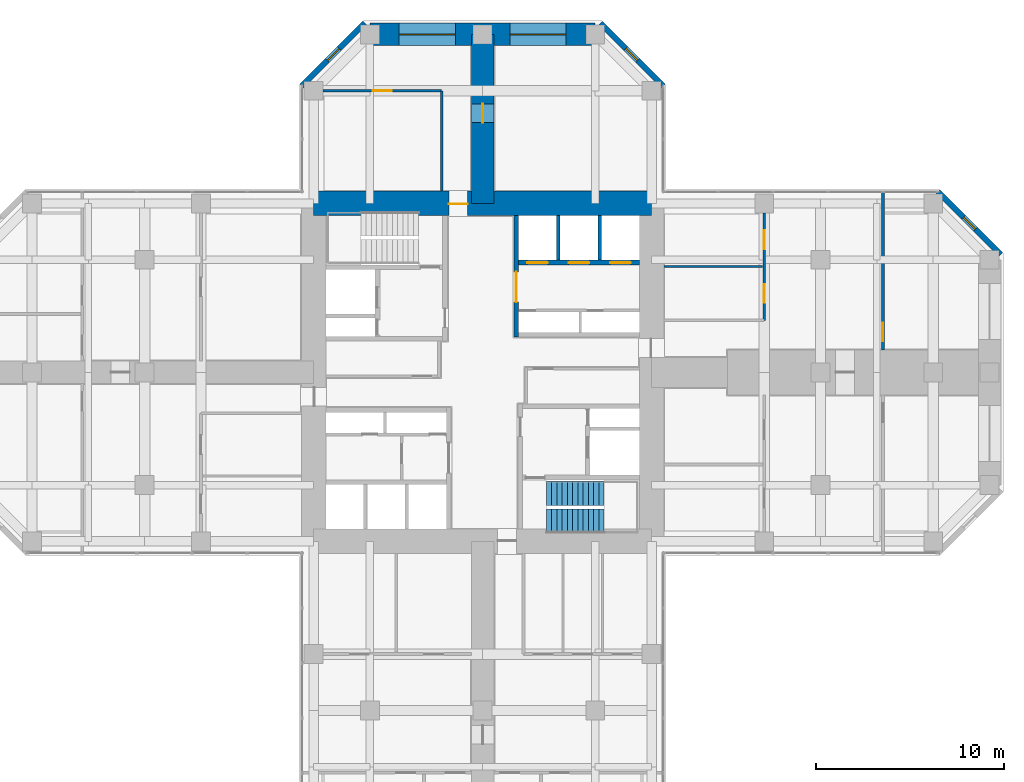
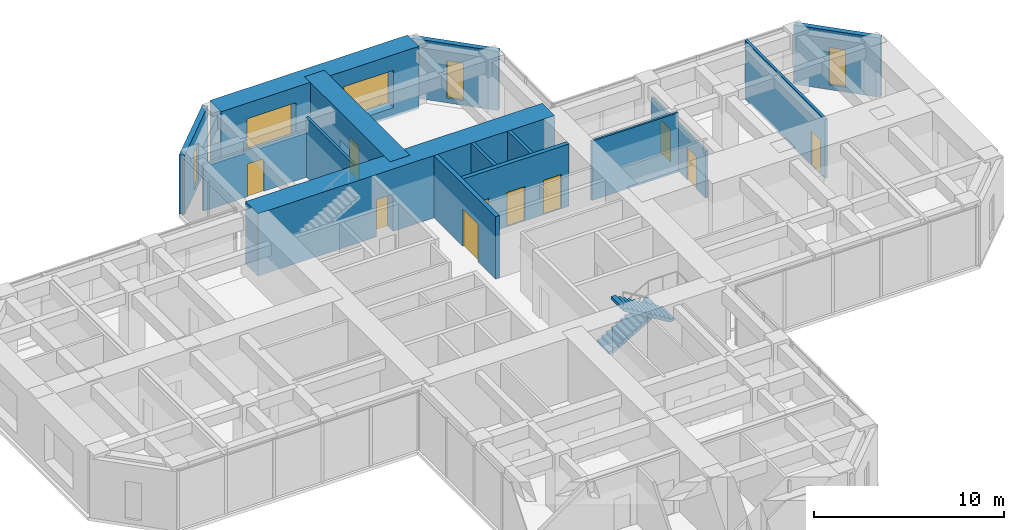
# One storey, part 11 of 13: 15 walls, 10 doors, 5 windows, 2 stair flights, 15 openings, 1 element without a shape of its own.
"""IFC4 building model written with IfcOpenShell, lengths in metres."""

from ifc_helpers import new_model, si_unit, direction, frame, frame_2d, origin, place, context, subcontext, project, spatial, polyline, rectangle, hollow_rectangle, outline, extrude, material, layer, layer_set, constituent, constituent_set, type_object, element, fill, aggregate, save


model = new_model("IFC4")

# Units and contexts
model_context = context("Model", 3, precision=1e-05, world=origin(), true_north=direction((0.0, 1.0)))
body_context = subcontext(model_context, "Body", "Model", "MODEL_VIEW")
ifc_project = project(units=[si_unit("LENGTHUNIT", "METRE"), si_unit("AREAUNIT", "SQUARE_METRE"), si_unit("VOLUMEUNIT", "CUBIC_METRE"), si_unit("PLANEANGLEUNIT", "RADIAN"), si_unit("MASSUNIT", "GRAM", prefix="KILO")], contexts=[model_context])

# Site, building, storey
site_placement = place(None, origin())
site = spatial("IfcSite", under=ifc_project, at=site_placement, CompositionType="ELEMENT")
building_placement = place(site_placement, origin())
building = spatial("IfcBuilding", under=site, at=building_placement, Name="Torre Cruceta", CompositionType="ELEMENT")
storey_placement = place(building_placement, frame((0.0, 0.0, 156.5)))
storey = spatial("IfcBuildingStorey", under=building, at=storey_placement, Name="L38", CompositionType="ELEMENT", Elevation=156.5)

# Wall, opening, door
ifc_material_1 = material(Name="Concrete G60 (fck 60 MPa)", Category="concrete")
ifc_layer_1 = layer(ifc_material_1, 0.25)
ifc_layer_set_1 = layer_set([ifc_layer_1], Name="Concrete G60 (fck 60 MPa)")
wall_type_1 = type_object("IfcWallType", Name="CORE INNER WALL 250 G60", PredefinedType="SHEAR", material=ifc_layer_set_1)
wall_1_placement = place(storey_placement, frame((1.800048828125, 1.875, 0.0), z_axis=(0.0, 0.0, 1.0), x_axis=(0.0, 1.0, 0.0)))
wall_1 = element("IfcWall", 1, at=wall_1_placement, inside=storey, type_object=wall_type_1, Name="CW4 L38 NE-CU", PredefinedType="SHEAR", context=body_context, shape_type="SweptSolid", body=[
    extrude(rectangle(XDim=6.47509765625, YDim=0.25, at=frame_2d((3.237548828125, 0.0))), origin(), (0.0, 0.0, 1.0), 4.0),
])
opening_1_placement = place(wall_1_placement, frame((1.875, 0.0, 0.0)))
opening_1 = element("IfcOpeningElement", 2, at=opening_1_placement, cuts=wall_1, Name="Opening D8", PredefinedType="OPENING", context=body_context, shape_type="SweptSolid", body=[
    extrude(rectangle(XDim=1.60009765625, YDim=2.39990234375, at=frame_2d((0.800048828125, 1.199951171875))), frame((0.0, 0.135009765625, 0.0), z_axis=(0.0, -1.0, 0.0), x_axis=(1.0, 0.0, 0.0)), (0.0, 0.0, 1.0), 0.27001953125),
])
ifc_material_2 = material(Name="Steel DX51D", Category="steel")
ifc_constituent_1 = constituent(ifc_material_2, Name="Leaf and frame")
ifc_material_3 = material(Name="Polyester powder coating", Category="paint")
ifc_constituent_2 = constituent(ifc_material_3, Name="Finish")
ifc_material_4 = material(Name="Fire-resisting glass", Category="glass")
ifc_constituent_3 = constituent(ifc_material_4, Name="Vision panel")
ifc_constituent_set_1 = constituent_set(constituents=[ifc_constituent_1, ifc_constituent_2, ifc_constituent_3], Name="Steel fire door with vision panels")
door_type_1 = type_object("IfcDoorType", Name="LIFT LOBBY DOUBLE DOOR 1600X2400", OperationType="DOUBLE_DOOR_DOUBLE_SWING", PredefinedType="DOOR", material=ifc_constituent_set_1)
door_1_placement = place(opening_1_placement, origin())
door_1 = element("IfcDoor", 3, at=door_1_placement, inside=storey, type_object=door_type_1, Name="D8 L38 NE-LOBBY", OperationType="DOUBLE_DOOR_DOUBLE_SWING", OverallHeight=2.39990234375, OverallWidth=1.60009765625, PredefinedType="DOOR", context=body_context, shape_type="SweptSolid", body=[
    extrude(rectangle(XDim=1.60009765625, YDim=2.39990234375, at=frame_2d((0.800048828125, 1.199951171875))), frame((0.0, 0.02490234375, 0.0), z_axis=(0.0, -1.0, 0.0), x_axis=(1.0, 0.0, 0.0)), (0.0, 0.0, 1.0), 0.050048828125),
])
fill(opening_1, door_1)

# Wall, openings, doors
wall_2_placement = place(storey_placement, frame((1.925048828125, 5.85009765625, 0.0), z_axis=(0.0, 0.0, 1.0), x_axis=(1.0, 0.0, 0.0)))
wall_2 = element("IfcWall", 4, at=wall_2_placement, inside=storey, type_object=wall_type_1, Name="CW4 L38 NE-LV", PredefinedType="SHEAR", context=body_context, shape_type="SweptSolid", body=[
    extrude(rectangle(XDim=6.425048828125, YDim=0.25, at=frame_2d((3.21240234375, 0.0))), origin(), (0.0, 0.0, 1.0), 4.0),
])
opening_2_placement = place(wall_2_placement, frame((0.4541015625, 0.0, 0.0)))
opening_2 = element("IfcOpeningElement", 5, at=opening_2_placement, cuts=wall_2, Name="Opening LD1", PredefinedType="OPENING", context=body_context, shape_type="SweptSolid", body=[
    extrude(rectangle(XDim=1.10009765625, YDim=2.199951171875, at=frame_2d((0.550048828125, 1.10009765625))), frame((0.0, 0.135009765625, 0.0), z_axis=(0.0, -1.0, 0.0), x_axis=(1.0, 0.0, 0.0)), (0.0, 0.0, 1.0), 0.27001953125),
])
opening_3_placement = place(wall_2_placement, frame((2.66259765625, 0.0, 0.0)))
opening_3 = element("IfcOpeningElement", 6, at=opening_3_placement, cuts=wall_2, Name="Opening LD1", PredefinedType="OPENING", context=body_context, shape_type="SweptSolid", body=[
    extrude(rectangle(XDim=1.10009765625, YDim=2.199951171875, at=frame_2d((0.550048828125, 1.10009765625))), frame((0.0, 0.135009765625, 0.0), z_axis=(0.0, -1.0, 0.0), x_axis=(1.0, 0.0, 0.0)), (0.0, 0.0, 1.0), 0.27001953125),
])
opening_4_placement = place(wall_2_placement, frame((4.870849609375, 0.0, 0.0)))
opening_4 = element("IfcOpeningElement", 7, at=opening_4_placement, cuts=wall_2, Name="Opening LD1", PredefinedType="OPENING", context=body_context, shape_type="SweptSolid", body=[
    extrude(rectangle(XDim=1.10009765625, YDim=2.199951171875, at=frame_2d((0.550048828125, 1.10009765625))), frame((0.0, 0.135009765625, 0.0), z_axis=(0.0, -1.0, 0.0), x_axis=(1.0, 0.0, 0.0)), (0.0, 0.0, 1.0), 0.27001953125),
])
ifc_material_5 = material(Name="Stainless steel 1.4401", Category="steel")
door_type_2 = type_object("IfcDoorType", Name="LIFT LANDING DOOR 1100X2200", OperationType="DOUBLE_DOOR_SLIDING", PredefinedType="DOOR", material=ifc_material_5)
door_2_placement = place(opening_2_placement, origin())
door_2 = element("IfcDoor", 8, at=door_2_placement, inside=storey, type_object=door_type_2, Name="Lift landing door P1", OperationType="DOUBLE_DOOR_SLIDING", OverallHeight=2.199951171875, OverallWidth=1.10009765625, PredefinedType="DOOR", context=body_context, shape_type="SweptSolid", body=[
    extrude(rectangle(XDim=1.10009765625, YDim=2.199951171875, at=frame_2d((0.550048828125, 1.10009765625))), frame((0.0, 0.02490234375, 0.0), z_axis=(0.0, -1.0, 0.0), x_axis=(1.0, 0.0, 0.0)), (0.0, 0.0, 1.0), 0.050048828125),
])
fill(opening_2, door_2)
door_3_placement = place(opening_3_placement, origin())
door_3 = element("IfcDoor", 9, at=door_3_placement, inside=storey, type_object=door_type_2, Name="Lift landing door P2", OperationType="DOUBLE_DOOR_SLIDING", OverallHeight=2.199951171875, OverallWidth=1.10009765625, PredefinedType="DOOR", context=body_context, shape_type="SweptSolid", body=[
    extrude(rectangle(XDim=1.10009765625, YDim=2.199951171875, at=frame_2d((0.550048828125, 1.10009765625))), frame((0.0, 0.02490234375, 0.0), z_axis=(0.0, -1.0, 0.0), x_axis=(1.0, 0.0, 0.0)), (0.0, 0.0, 1.0), 0.050048828125),
])
fill(opening_3, door_3)
door_4_placement = place(opening_4_placement, origin())
door_4 = element("IfcDoor", 10, at=door_4_placement, inside=storey, type_object=door_type_2, Name="Lift landing door P3", OperationType="DOUBLE_DOOR_SLIDING", OverallHeight=2.199951171875, OverallWidth=1.10009765625, PredefinedType="DOOR", context=body_context, shape_type="SweptSolid", body=[
    extrude(rectangle(XDim=1.10009765625, YDim=2.199951171875, at=frame_2d((0.550048828125, 1.10009765625))), frame((0.0, 0.02490234375, 0.0), z_axis=(0.0, -1.0, 0.0), x_axis=(1.0, 0.0, 0.0)), (0.0, 0.0, 1.0), 0.050048828125),
])
fill(opening_4, door_4)

# Wall, opening, door
ifc_material_6 = material(Name="Concrete G60 (fck 60 MPa)", Category="concrete")
ifc_layer_2 = layer(ifc_material_6, 1.300048828125)
ifc_layer_set_2 = layer_set([ifc_layer_2], Name="Concrete G60 (fck 60 MPa)")
wall_type_2 = type_object("IfcWallType", Name="CORE WALL 1300 G60", PredefinedType="SHEAR", material=ifc_layer_set_2)
wall_3_placement = place(storey_placement, frame((9.0, 9.0, 0.0), z_axis=(0.0, 0.0, 1.0), x_axis=(-1.0, 0.0, 0.0)))
wall_3 = element("IfcWall", 11, at=wall_3_placement, inside=storey, type_object=wall_type_2, Name="CW1 L38 CW-N", PredefinedType="SHEAR", context=body_context, shape_type="SweptSolid", body=[
    extrude(rectangle(XDim=18.0, YDim=1.300048828125, at=frame_2d((9.0, 0.0))), origin(), (0.0, 0.0, 1.0), 4.0),
])
opening_5_placement = place(wall_3_placement, frame((9.800048828125, 0.0, 0.0)))
opening_5 = element("IfcOpeningElement", 12, at=opening_5_placement, cuts=wall_3, Name="Opening D4", PredefinedType="OPENING", context=body_context, shape_type="SweptSolid", body=[
    extrude(rectangle(XDim=1.0, YDim=2.39990234375, at=frame_2d((0.5, 1.199951171875))), frame((0.0, 0.659912109375, 0.0), z_axis=(0.0, -1.0, 0.0), x_axis=(1.0, 0.0, 0.0)), (0.0, 0.0, 1.0), 1.320068359375),
])
ifc_material_7 = material(Name="Steel DX51D", Category="steel")
ifc_constituent_4 = constituent(ifc_material_7, Name="Leaf and frame")
ifc_material_8 = material(Name="Polyester powder coating", Category="paint")
ifc_constituent_5 = constituent(ifc_material_8, Name="Finish")
ifc_constituent_set_2 = constituent_set(constituents=[ifc_constituent_4, ifc_constituent_5], Name="Steel fire door")
door_type_3 = type_object("IfcDoorType", Name="CORE ARM DOOR 1000X2400", OperationType="SINGLE_SWING_RIGHT", PredefinedType="DOOR", material=ifc_constituent_set_2)
door_5_placement = place(opening_5_placement, frame((1.0, 0.0, 0.0), z_axis=(0.0, 0.0, 1.0), x_axis=(-1.0, 0.0, 0.0)))
door_5 = element("IfcDoor", 13, at=door_5_placement, inside=storey, type_object=door_type_3, Name="D4 L38 CW-N", OperationType="SINGLE_SWING_RIGHT", OverallHeight=2.39990234375, OverallWidth=1.0, PredefinedType="DOOR", context=body_context, shape_type="SweptSolid", body=[
    extrude(rectangle(XDim=1.0, YDim=2.39990234375, at=frame_2d((0.5, 1.199951171875))), frame((0.0, -0.005126953125, 0.0), z_axis=(0.0, -1.0, 0.0), x_axis=(1.0, 0.0, 0.0)), (0.0, 0.0, 1.0), 0.050048828125),
])
fill(opening_5, door_5)

# Wall, opening, window
ifc_material_9 = material(Name="Concrete G30 (fck 30 MPa)", Category="concrete")
ifc_layer_3 = layer(ifc_material_9, 0.300048828125)
ifc_layer_set_3 = layer_set([ifc_layer_3], Name="Concrete G30 (fck 30 MPa)")
wall_type_3 = type_object("IfcWallType", Name="EXPOSED CONCRETE FACADE WALL 300", PredefinedType="SOLIDWALL", material=ifc_layer_set_3)
wall_4_placement = place(storey_placement, frame((27.60009765625, 6.27685546875, 0.0), z_axis=(0.0, 0.0, 1.0), x_axis=(-0.707106781187, 0.707106781187, 0.0)))
wall_4 = element("IfcWall", 14, at=wall_4_placement, inside=storey, type_object=wall_type_3, Name="EW1 facade wall L38 E chamfer 03", PredefinedType="SOLIDWALL", context=body_context, shape_type="SweptSolid", body=[
    extrude(rectangle(XDim=4.72802734375, YDim=0.300048828125, at=frame_2d((2.364013671875, 0.0))), origin(), (0.0, 0.0, 1.0), 3.800048828125),
])
opening_6_placement = place(wall_4_placement, frame((1.9140625, 0.0, 0.300048828125)))
opening_6 = element("IfcOpeningElement", 15, at=opening_6_placement, cuts=wall_4, Name="Opening WN5", PredefinedType="OPENING", context=body_context, shape_type="SweptSolid", body=[
    extrude(rectangle(XDim=0.89990234375, YDim=2.39990234375, at=frame_2d((0.449951171875, 1.199951171875))), frame((0.0, 0.159912109375, 0.0), z_axis=(0.0, -1.0, 0.0), x_axis=(1.0, 0.0, 0.0)), (0.0, 0.0, 1.0), 0.320068359375),
])
ifc_material_10 = material(Name="Aluminium window frame", Category="aluminium")
ifc_constituent_6 = constituent(ifc_material_10, Name="Frame")
ifc_material_11 = material(Name="Laminated insulating glass unit, low-iron clear", Category="glass")
ifc_constituent_7 = constituent(ifc_material_11, Name="Glazing")
ifc_constituent_set_3 = constituent_set(constituents=[ifc_constituent_6, ifc_constituent_7], Name="Aluminium window")
window_type_1 = type_object("IfcWindowType", Name="CHAMFER SLOT WINDOW 900X2400", PartitioningType="SINGLE_PANEL", PredefinedType="WINDOW", material=ifc_constituent_set_3)
window_1_placement = place(opening_6_placement, origin())
window_1 = element("IfcWindow", 16, at=window_1_placement, inside=storey, type_object=window_type_1, Name="WN5 L38 E 1", OverallHeight=2.39990234375, OverallWidth=0.89990234375, PartitioningType="SINGLE_PANEL", PredefinedType="WINDOW", context=body_context, shape_type="SweptSolid", body=[
    extrude(hollow_rectangle(XDim=0.89990234375, YDim=2.39990234375, WallThickness=0.06005859375, at=frame_2d((0.449951171875, 1.199951171875))), frame((0.0, 0.030029296875, 0.0), z_axis=(0.0, -1.0, 0.0), x_axis=(1.0, 0.0, 0.0)), (0.0, 0.0, 1.0), 0.06005859375),
    extrude(rectangle(XDim=0.77880859375, YDim=2.27880859375, at=frame_2d((0.449951171875, 1.199951171875))), frame((0.0, 0.030029296875, 0.0), z_axis=(0.0, -1.0, 0.0), x_axis=(1.0, 0.0, 0.0)), (0.0, 0.0, 1.0), 0.06005859375),
])
fill(opening_6, window_1)

wall_5_placement = place(storey_placement, frame((9.6201171875, 15.2568359375, 0.0), z_axis=(0.0, 0.0, 1.0), x_axis=(-0.707106781187, 0.707106781187, 0.0)))
wall_5 = element("IfcWall", 17, at=wall_5_placement, inside=storey, type_object=wall_type_3, Name="EW1 facade wall L38 N chamfer 06", PredefinedType="SOLIDWALL", context=body_context, shape_type="SweptSolid", body=[
    extrude(rectangle(XDim=4.72802734375, YDim=0.300048828125, at=frame_2d((2.364013671875, 0.0))), origin(), (0.0, 0.0, 1.0), 3.800048828125),
])
opening_7_placement = place(wall_5_placement, frame((1.9140625, 0.0, 0.300048828125)))
opening_7 = element("IfcOpeningElement", 18, at=opening_7_placement, cuts=wall_5, Name="Opening WN5", PredefinedType="OPENING", context=body_context, shape_type="SweptSolid", body=[
    extrude(rectangle(XDim=0.89990234375, YDim=2.39990234375, at=frame_2d((0.449951171875, 1.199951171875))), frame((0.0, 0.159912109375, 0.0), z_axis=(0.0, -1.0, 0.0), x_axis=(1.0, 0.0, 0.0)), (0.0, 0.0, 1.0), 0.320068359375),
])
window_2_placement = place(opening_7_placement, origin())
window_2 = element("IfcWindow", 19, at=window_2_placement, inside=storey, type_object=window_type_1, Name="WN5 L38 N 1", OverallHeight=2.39990234375, OverallWidth=0.89990234375, PartitioningType="SINGLE_PANEL", PredefinedType="WINDOW", context=body_context, shape_type="SweptSolid", body=[
    extrude(hollow_rectangle(XDim=0.89990234375, YDim=2.39990234375, WallThickness=0.06005859375, at=frame_2d((0.449951171875, 1.199951171875))), frame((0.0, 0.030029296875, 0.0), z_axis=(0.0, -1.0, 0.0), x_axis=(1.0, 0.0, 0.0)), (0.0, 0.0, 1.0), 0.06005859375),
    extrude(rectangle(XDim=0.77880859375, YDim=2.27880859375, at=frame_2d((0.449951171875, 1.199951171875))), frame((0.0, 0.030029296875, 0.0), z_axis=(0.0, -1.0, 0.0), x_axis=(1.0, 0.0, 0.0)), (0.0, 0.0, 1.0), 0.06005859375),
])
fill(opening_7, window_2)

wall_6_placement = place(storey_placement, frame((-6.27685546875, 18.60009765625, 0.0), z_axis=(0.0, 0.0, 1.0), x_axis=(-0.707106781187, -0.707106781187, 0.0)))
wall_6 = element("IfcWall", 20, at=wall_6_placement, inside=storey, type_object=wall_type_3, Name="EW1 facade wall L38 N chamfer 08", PredefinedType="SOLIDWALL", context=body_context, shape_type="SweptSolid", body=[
    extrude(rectangle(XDim=4.72802734375, YDim=0.300048828125, at=frame_2d((2.364013671875, 0.0))), origin(), (0.0, 0.0, 1.0), 3.800048828125),
])
opening_8_placement = place(wall_6_placement, frame((1.9140625, 0.0, 0.300048828125)))
opening_8 = element("IfcOpeningElement", 21, at=opening_8_placement, cuts=wall_6, Name="Opening WN5", PredefinedType="OPENING", context=body_context, shape_type="SweptSolid", body=[
    extrude(rectangle(XDim=0.89990234375, YDim=2.39990234375, at=frame_2d((0.449951171875, 1.199951171875))), frame((0.0, 0.159912109375, 0.0), z_axis=(0.0, -1.0, 0.0), x_axis=(1.0, 0.0, 0.0)), (0.0, 0.0, 1.0), 0.320068359375),
])
window_3_placement = place(opening_8_placement, origin())
window_3 = element("IfcWindow", 22, at=window_3_placement, inside=storey, type_object=window_type_1, Name="WN5 L38 N 1", OverallHeight=2.39990234375, OverallWidth=0.89990234375, PartitioningType="SINGLE_PANEL", PredefinedType="WINDOW", context=body_context, shape_type="SweptSolid", body=[
    extrude(hollow_rectangle(XDim=0.89990234375, YDim=2.39990234375, WallThickness=0.06005859375, at=frame_2d((0.449951171875, 1.199951171875))), frame((0.0, 0.030029296875, 0.0), z_axis=(0.0, -1.0, 0.0), x_axis=(1.0, 0.0, 0.0)), (0.0, 0.0, 1.0), 0.06005859375),
    extrude(rectangle(XDim=0.77880859375, YDim=2.27880859375, at=frame_2d((0.449951171875, 1.199951171875))), frame((0.0, 0.030029296875, 0.0), z_axis=(0.0, -1.0, 0.0), x_axis=(1.0, 0.0, 0.0)), (0.0, 0.0, 1.0), 0.06005859375),
])
fill(opening_8, window_3)

# Walls
ifc_material_12 = material(Name="Concrete G35 (fck 35 MPa)", Category="concrete")
ifc_layer_4 = layer(ifc_material_12, 0.199951171875)
ifc_layer_set_4 = layer_set([ifc_layer_4], Name="Concrete G35 (fck 35 MPa)")
wall_type_4 = type_object("IfcWallType", Name="LIFT SHAFT WALL 200", PredefinedType="PARTITIONING", material=ifc_layer_set_4)
for number, where, z_axis, x_axis, name in (
    (23, (4.033447265625, 5.97509765625, 0.0), (0.0, 0.0, 1.0), (0.0, 1.0, 0.0), "SW1 L38 NE-LS1"),
    (24, (6.24169921875, 5.97509765625, 0.0), (0.0, 0.0, 1.0), (0.0, 1.0, 0.0), "SW1 L38 NE-LS2"),
):
    element("IfcWall", number, at=place(storey_placement, frame(where, z_axis=z_axis, x_axis=x_axis)), inside=storey, type_object=wall_type_4, Name=name, PredefinedType="PARTITIONING", context=body_context, shape_type="SweptSolid", body=[
        extrude(rectangle(XDim=2.375, YDim=0.199951171875, at=frame_2d((1.1875, 0.0))), origin(), (0.0, 0.0, 1.0), 4.0),
    ])

# Wall, openings, windows
ifc_material_13 = material(Name="Concrete G60 (fck 60 MPa)", Category="concrete")
ifc_layer_5 = layer(ifc_material_13, 1.199951171875)
ifc_layer_set_5 = layer_set([ifc_layer_5], Name="Concrete G60 (fck 60 MPa)")
wall_type_5 = type_object("IfcWallType", Name="NOSE WALL 1200 G60", PredefinedType="SHEAR", material=ifc_layer_set_5)
wall_7_placement = place(storey_placement, frame((6.0, 18.0, 0.0), z_axis=(0.0, 0.0, 1.0), x_axis=(-1.0, 0.0, 0.0)))
wall_7 = element("IfcWall", 25, at=wall_7_placement, inside=storey, type_object=wall_type_5, Name="NW1 nose wall L38 N", PredefinedType="SHEAR", context=body_context, shape_type="SweptSolid", body=[
    extrude(rectangle(XDim=12.0, YDim=1.199951171875, at=frame_2d((6.0, 0.0))), origin(), (0.0, 0.0, 1.0), 4.0),
])
opening_9_placement = place(wall_7_placement, frame((1.550048828125, 0.0, 0.60009765625)))
opening_9 = element("IfcOpeningElement", 26, at=opening_9_placement, cuts=wall_7, Name="Opening WN6", PredefinedType="OPENING", context=body_context, shape_type="SweptSolid", body=[
    extrude(rectangle(XDim=3.0, YDim=2.39990234375, at=frame_2d((1.5, 1.199951171875))), frame((0.0, 0.60986328125, 0.0), z_axis=(0.0, -1.0, 0.0), x_axis=(1.0, 0.0, 0.0)), (0.0, 0.0, 1.0), 1.219970703125),
])
opening_10_placement = place(wall_7_placement, frame((7.449951171875, 0.0, 0.60009765625)))
opening_10 = element("IfcOpeningElement", 27, at=opening_10_placement, cuts=wall_7, Name="Opening WN6", PredefinedType="OPENING", context=body_context, shape_type="SweptSolid", body=[
    extrude(rectangle(XDim=3.0, YDim=2.39990234375, at=frame_2d((1.5, 1.199951171875))), frame((0.0, 0.60986328125, 0.0), z_axis=(0.0, -1.0, 0.0), x_axis=(1.0, 0.0, 0.0)), (0.0, 0.0, 1.0), 1.219970703125),
])
ifc_material_14 = material(Name="Aluminium window frame", Category="aluminium")
ifc_constituent_8 = constituent(ifc_material_14, Name="Frame")
ifc_material_15 = material(Name="Laminated insulating glass unit, low-iron clear", Category="glass")
ifc_constituent_9 = constituent(ifc_material_15, Name="Glazing")
ifc_constituent_set_4 = constituent_set(constituents=[ifc_constituent_8, ifc_constituent_9], Name="Aluminium window")
window_type_2 = type_object("IfcWindowType", Name="NOSE WALL WINDOW 3000X2400", PartitioningType="SINGLE_PANEL", PredefinedType="WINDOW", material=ifc_constituent_set_4)
window_4_placement = place(opening_9_placement, origin())
window_4 = element("IfcWindow", 28, at=window_4_placement, inside=storey, type_object=window_type_2, Name="WN6 L38 N 1", OverallHeight=2.39990234375, OverallWidth=3.0, PartitioningType="SINGLE_PANEL", PredefinedType="WINDOW", context=body_context, shape_type="SweptSolid", body=[
    extrude(hollow_rectangle(XDim=3.0, YDim=2.39990234375, WallThickness=0.06005859375, at=frame_2d((1.5, 1.199951171875))), frame((0.0, 0.030029296875, 0.0), z_axis=(0.0, -1.0, 0.0), x_axis=(1.0, 0.0, 0.0)), (0.0, 0.0, 1.0), 0.06005859375),
    extrude(rectangle(XDim=2.87890625, YDim=2.27880859375, at=frame_2d((1.5, 1.199951171875))), frame((0.0, 0.030029296875, 0.0), z_axis=(0.0, -1.0, 0.0), x_axis=(1.0, 0.0, 0.0)), (0.0, 0.0, 1.0), 0.06005859375),
])
fill(opening_9, window_4)
window_5_placement = place(opening_10_placement, origin())
window_5 = element("IfcWindow", 29, at=window_5_placement, inside=storey, type_object=window_type_2, Name="WN6 L38 N 2", OverallHeight=2.39990234375, OverallWidth=3.0, PartitioningType="SINGLE_PANEL", PredefinedType="WINDOW", context=body_context, shape_type="SweptSolid", body=[
    extrude(hollow_rectangle(XDim=3.0, YDim=2.39990234375, WallThickness=0.06005859375, at=frame_2d((1.5, 1.199951171875))), frame((0.0, 0.030029296875, 0.0), z_axis=(0.0, -1.0, 0.0), x_axis=(1.0, 0.0, 0.0)), (0.0, 0.0, 1.0), 0.06005859375),
    extrude(rectangle(XDim=2.87890625, YDim=2.27880859375, at=frame_2d((1.5, 1.199951171875))), frame((0.0, 0.030029296875, 0.0), z_axis=(0.0, -1.0, 0.0), x_axis=(1.0, 0.0, 0.0)), (0.0, 0.0, 1.0), 0.06005859375),
])
fill(opening_10, window_5)

# Wall, opening, door
ifc_material_16 = material(Name="Plasterboard on steel studs", Category="steel")
ifc_layer_6 = layer(ifc_material_16, 0.14990234375)
ifc_layer_set_6 = layer_set([ifc_layer_6], Name="Plasterboard on steel studs")
wall_type_6 = type_object("IfcWallType", Name="PARTITION 150", PredefinedType="PARTITIONING", material=ifc_layer_set_6)
wall_8_placement = place(storey_placement, frame((-2.175048828125, 15.0, 0.0), z_axis=(0.0, 0.0, 1.0), x_axis=(-1.0, 0.0, 0.0)))
wall_8 = element("IfcWall", 30, at=wall_8_placement, inside=storey, type_object=wall_type_6, Name="PT1 L38-N-BFL", PredefinedType="PARTITIONING", context=body_context, shape_type="SweptSolid", body=[
    extrude(rectangle(XDim=6.324951171875, YDim=0.14990234375, at=frame_2d((3.16259765625, 0.0))), origin(), (0.0, 0.0, 1.0), 3.0),
])
opening_11_placement = place(wall_8_placement, frame((2.66259765625, 0.0, 0.0)))
opening_11 = element("IfcOpeningElement", 31, at=opening_11_placement, cuts=wall_8, Name="Opening D3", PredefinedType="OPENING", context=body_context, shape_type="SweptSolid", body=[
    extrude(rectangle(XDim=1.0, YDim=2.10009765625, at=frame_2d((0.5, 1.050048828125))), frame((0.0, 0.0849609375, 0.0), z_axis=(0.0, -1.0, 0.0), x_axis=(1.0, 0.0, 0.0)), (0.0, 0.0, 1.0), 0.169921875),
])
ifc_material_17 = material(Name="Steel DX51D", Category="steel")
ifc_constituent_10 = constituent(ifc_material_17, Name="Leaf and frame")
ifc_material_18 = material(Name="Polyester powder coating", Category="paint")
ifc_constituent_11 = constituent(ifc_material_18, Name="Finish")
ifc_constituent_set_5 = constituent_set(constituents=[ifc_constituent_10, ifc_constituent_11], Name="Steel fire door")
door_type_4 = type_object("IfcDoorType", Name="FIRE DOOR 1000X2100", OperationType="SINGLE_SWING_LEFT", PredefinedType="DOOR", material=ifc_constituent_set_5)
door_6_placement = place(opening_11_placement, frame((1.0, 0.0, 0.0), z_axis=(0.0, 0.0, 1.0), x_axis=(-1.0, 0.0, 0.0)))
door_6 = element("IfcDoor", 32, at=door_6_placement, inside=storey, type_object=door_type_4, Name="D3 L38-N-BFL-D1", OperationType="SINGLE_SWING_LEFT", OverallHeight=2.10009765625, OverallWidth=1.0, PredefinedType="DOOR", context=body_context, shape_type="SweptSolid", body=[
    extrude(rectangle(XDim=1.0, YDim=2.10009765625, at=frame_2d((0.5, 1.050048828125))), frame((0.0, 0.025146484375, 0.0), z_axis=(0.0, -1.0, 0.0), x_axis=(1.0, 0.0, 0.0)), (0.0, 0.0, 1.0), 0.050048828125),
])
fill(opening_11, door_6)

# Wall
wall_9_placement = place(storey_placement, frame((-2.175048828125, 9.64990234375, 0.0), z_axis=(0.0, 0.0, 1.0), x_axis=(0.0, 1.0, 0.0)))
element("IfcWall", 33, at=wall_9_placement, inside=storey, type_object=wall_type_6, Name="PT1 L38-N-BSL", PredefinedType="PARTITIONING", context=body_context, shape_type="SweptSolid", body=[
    extrude(rectangle(XDim=5.35009765625, YDim=0.14990234375, at=frame_2d((2.675048828125, 0.0))), origin(), (0.0, 0.0, 1.0), 3.800048828125),
])

# Wall, openings, doors
wall_10_placement = place(storey_placement, frame((15.0, 2.77490234375, 0.0), z_axis=(0.0, 0.0, 1.0), x_axis=(0.0, 1.0, 0.0)))
wall_10 = element("IfcWall", 34, at=wall_10_placement, inside=storey, type_object=wall_type_6, Name="PT1 L38-E-BFL", PredefinedType="PARTITIONING", context=body_context, shape_type="SweptSolid", body=[
    extrude(rectangle(XDim=5.72509765625, YDim=0.14990234375, at=frame_2d((2.862548828125, 0.0))), origin(), (0.0, 0.0, 1.0), 3.0),
])
opening_12_placement = place(wall_10_placement, frame((0.931396484375, 0.0, 0.0)))
opening_12 = element("IfcOpeningElement", 35, at=opening_12_placement, cuts=wall_10, Name="Opening D3", PredefinedType="OPENING", context=body_context, shape_type="SweptSolid", body=[
    extrude(rectangle(XDim=1.0, YDim=2.10009765625, at=frame_2d((0.5, 1.050048828125))), frame((0.0, 0.0849609375, 0.0), z_axis=(0.0, -1.0, 0.0), x_axis=(1.0, 0.0, 0.0)), (0.0, 0.0, 1.0), 0.169921875),
])
opening_13_placement = place(wall_10_placement, frame((3.793701171875, 0.0, 0.0)))
opening_13 = element("IfcOpeningElement", 36, at=opening_13_placement, cuts=wall_10, Name="Opening D3", PredefinedType="OPENING", context=body_context, shape_type="SweptSolid", body=[
    extrude(rectangle(XDim=1.0, YDim=2.10009765625, at=frame_2d((0.5, 1.050048828125))), frame((0.0, 0.0849609375, 0.0), z_axis=(0.0, -1.0, 0.0), x_axis=(1.0, 0.0, 0.0)), (0.0, 0.0, 1.0), 0.169921875),
])
door_7_placement = place(opening_12_placement, origin())
door_7 = element("IfcDoor", 37, at=door_7_placement, inside=storey, type_object=door_type_4, Name="D3 L38-E-BFL-D1", OperationType="SINGLE_SWING_LEFT", OverallHeight=2.10009765625, OverallWidth=1.0, PredefinedType="DOOR", context=body_context, shape_type="SweptSolid", body=[
    extrude(rectangle(XDim=1.0, YDim=2.10009765625, at=frame_2d((0.5, 1.050048828125))), frame((0.0, 0.02490234375, 0.0), z_axis=(0.0, -1.0, 0.0), x_axis=(1.0, 0.0, 0.0)), (0.0, 0.0, 1.0), 0.050048828125),
])
fill(opening_12, door_7)
door_8_placement = place(opening_13_placement, origin())
door_8 = element("IfcDoor", 38, at=door_8_placement, inside=storey, type_object=door_type_4, Name="D3 L38-E-BFL-D2", OperationType="SINGLE_SWING_LEFT", OverallHeight=2.10009765625, OverallWidth=1.0, PredefinedType="DOOR", context=body_context, shape_type="SweptSolid", body=[
    extrude(rectangle(XDim=1.0, YDim=2.10009765625, at=frame_2d((0.5, 1.050048828125))), frame((0.0, 0.02490234375, 0.0), z_axis=(0.0, -1.0, 0.0), x_axis=(1.0, 0.0, 0.0)), (0.0, 0.0, 1.0), 0.050048828125),
])
fill(opening_13, door_8)

# Wall, opening, door
wall_11_placement = place(storey_placement, frame((21.320068359375, 1.199951171875, 0.0), z_axis=(0.0, 0.0, 1.0), x_axis=(0.0, 1.0, 0.0)))
wall_11 = element("IfcWall", 39, at=wall_11_placement, inside=storey, type_object=wall_type_6, Name="PT1 L38-E-TWL", PredefinedType="PARTITIONING", context=body_context, shape_type="SweptSolid", body=[
    extrude(rectangle(XDim=8.380126953125, YDim=0.14990234375, at=frame_2d((4.18994140625, 0.0))), origin(), (0.0, 0.0, 1.0), 3.800048828125),
])
opening_14_placement = place(wall_11_placement, frame((0.449951171875, 0.0, 0.0)))
opening_14 = element("IfcOpeningElement", 40, at=opening_14_placement, cuts=wall_11, Name="Opening D14", PredefinedType="OPENING", context=body_context, shape_type="SweptSolid", body=[
    extrude(rectangle(XDim=1.0, YDim=2.199951171875, at=frame_2d((0.5, 1.10009765625))), frame((0.0, 0.0849609375, 0.0), z_axis=(0.0, -1.0, 0.0), x_axis=(1.0, 0.0, 0.0)), (0.0, 0.0, 1.0), 0.169921875),
])
ifc_material_19 = material(Name="Steel DX51D", Category="steel")
ifc_constituent_12 = constituent(ifc_material_19, Name="Leaf and frame")
ifc_material_20 = material(Name="Polyester powder coating", Category="paint")
ifc_constituent_13 = constituent(ifc_material_20, Name="Finish")
ifc_material_21 = material(Name="Fire-resisting glass", Category="glass")
ifc_constituent_14 = constituent(ifc_material_21, Name="Vision panel")
ifc_constituent_set_6 = constituent_set(constituents=[ifc_constituent_12, ifc_constituent_13, ifc_constituent_14], Name="Steel fire door with vision panel")
door_type_5 = type_object("IfcDoorType", Name="FIRE DOOR VISION PANEL 1000X2200", OperationType="SINGLE_SWING_RIGHT", PredefinedType="DOOR", material=ifc_constituent_set_6)
door_9_placement = place(opening_14_placement, frame((1.0, 0.0, 0.0), z_axis=(0.0, 0.0, 1.0), x_axis=(-1.0, 0.0, 0.0)))
door_9 = element("IfcDoor", 41, at=door_9_placement, inside=storey, type_object=door_type_5, Name="D14 L38-E-TWL-D1", OperationType="SINGLE_SWING_RIGHT", OverallHeight=2.199951171875, OverallWidth=1.0, PredefinedType="DOOR", context=body_context, shape_type="SweptSolid", body=[
    extrude(rectangle(XDim=1.0, YDim=2.199951171875, at=frame_2d((0.5, 1.10009765625))), frame((0.0, 0.025146484375, 0.0), z_axis=(0.0, -1.0, 0.0), x_axis=(1.0, 0.0, 0.0)), (0.0, 0.0, 1.0), 0.050048828125),
])
fill(opening_14, door_9)

ifc_material_22 = material(Name="Concrete G60 (fck 60 MPa)", Category="concrete")
ifc_layer_7 = layer(ifc_material_22, 1.199951171875)
ifc_layer_set_7 = layer_set([ifc_layer_7], Name="Concrete G60 (fck 60 MPa)")
wall_type_7 = type_object("IfcWallType", Name="SPINE WALL 1200 G60", PredefinedType="SHEAR", material=ifc_layer_set_7)
wall_12_placement = place(storey_placement, frame((0.0, 9.0, 0.0), z_axis=(0.0, 0.0, 1.0), x_axis=(0.0, 1.0, 0.0)))
wall_12 = element("IfcWall", 42, at=wall_12_placement, inside=storey, type_object=wall_type_7, Name="SW3 spine wall L38 N", PredefinedType="SHEAR", context=body_context, shape_type="SweptSolid", body=[
    extrude(rectangle(XDim=9.0, YDim=1.199951171875, at=frame_2d((4.5, 0.0))), origin(), (0.0, 0.0, 1.0), 4.0),
])
opening_15_placement = place(wall_12_placement, frame((4.300048828125, 0.0, 0.0)))
opening_15 = element("IfcOpeningElement", 43, at=opening_15_placement, cuts=wall_12, Name="Opening D14", PredefinedType="OPENING", context=body_context, shape_type="SweptSolid", body=[
    extrude(rectangle(XDim=1.0, YDim=2.199951171875, at=frame_2d((0.5, 1.10009765625))), frame((0.0, 0.60986328125, 0.0), z_axis=(0.0, -1.0, 0.0), x_axis=(1.0, 0.0, 0.0)), (0.0, 0.0, 1.0), 1.219970703125),
])
door_10_placement = place(opening_15_placement, origin())
door_10 = element("IfcDoor", 44, at=door_10_placement, inside=storey, type_object=door_type_5, Name="D14 L38-N-SP1", OperationType="SINGLE_SWING_RIGHT", OverallHeight=2.199951171875, OverallWidth=1.0, PredefinedType="DOOR", context=body_context, shape_type="SweptSolid", body=[
    extrude(rectangle(XDim=1.0, YDim=2.199951171875, at=frame_2d((0.5, 1.10009765625))), frame((0.0, 0.02490234375, 0.0), z_axis=(0.0, -1.0, 0.0), x_axis=(1.0, 0.0, 0.0)), (0.0, 0.0, 1.0), 0.050048828125),
])
fill(opening_15, door_10)

# Wall
ifc_material_23 = material(Name="Plasterboard on steel studs", Category="steel")
ifc_layer_8 = layer(ifc_material_23, 0.1201171875)
ifc_layer_set_8 = layer_set([ifc_layer_8], Name="Plasterboard on steel studs")
wall_type_8 = type_object("IfcWallType", Name="WC PARTITION 120", PredefinedType="PLUMBINGWALL", material=ifc_layer_set_8)
wall_13_placement = place(storey_placement, frame((9.64990234375, 5.637451171875, 0.0), z_axis=(0.0, 0.0, 1.0), x_axis=(1.0, 0.0, 0.0)))
element("IfcWall", 45, at=wall_13_placement, inside=storey, type_object=wall_type_8, Name="PT5 L38-E-BDL1", PredefinedType="PLUMBINGWALL", context=body_context, shape_type="SweptSolid", body=[
    extrude(rectangle(XDim=5.25, YDim=0.1201171875, at=frame_2d((2.625, 0.0))), origin(), (0.0, 0.0, 1.0), 3.800048828125),
])

# Stair, stair flights
ifc_material_24 = material(Name="Concrete G30 (fck 30 MPa)", Category="concrete")
stair_type = type_object("IfcStairType", Name="STAIR HALF-TURN 1300", PredefinedType="HALF_TURN_STAIR", material=ifc_material_24)
stair_placement = place(storey_placement, origin())
stair = element("IfcStair", 46, at=stair_placement, inside=storey, type_object=stair_type, Name="Stair ST2 L38", PredefinedType="HALF_TURN_STAIR")
ifc_material_25 = material(Name="Concrete G30 (fck 30 MPa)", Category="concrete")
stair_flight_type = type_object("IfcStairFlightType", Name="STAIR FLIGHT 1300", PredefinedType="STRAIGHT", material=ifc_material_25)
stair_flight_1_placement = place(storey_placement, frame((3.39990234375, -6.425048828125, 0.0), z_axis=(0.0, 0.0, 1.0), x_axis=(1.0, 0.0, 0.0)))
stair_flight_1 = element("IfcStairFlight", 47, at=stair_flight_1_placement, type_object=stair_flight_type, Name="ST2 flight 1", NumberOfRisers=12, NumberOfTreads=11, PredefinedType="STRAIGHT", RiserHeight=0.166666667, TreadLength=0.28, context=body_context, shape_type="SweptSolid", body=[
    extrude(outline(polyline([(0.0, 0.0), (0.0, 0.166748046875), (0.280029296875, 0.166748046875), (0.280029296875, 0.333251953125), (0.56005859375, 0.333251953125), (0.56005859375, 0.5), (0.840087890625, 0.5), (0.840087890625, 0.666748046875), (1.1201171875, 0.666748046875), (1.1201171875, 0.833251953125), (1.39990234375, 0.833251953125), (1.39990234375, 1.0), (1.679931640625, 1.0), (1.679931640625, 1.166748046875), (1.9599609375, 1.166748046875), (1.9599609375, 1.333251953125), (2.239990234375, 1.333251953125), (2.239990234375, 1.5), (2.52001953125, 1.5), (2.52001953125, 1.666748046875), (2.800048828125, 1.666748046875), (2.800048828125, 1.833251953125), (3.080078125, 1.833251953125), (3.080078125, 2.0), (3.080078125, 1.658935546875), (0.29296875, 0.0), (0.0, 0.0)])), frame((0.0, 0.64990234375, 0.0), z_axis=(0.0, -1.0, 0.0), x_axis=(1.0, 0.0, 0.0)), (0.0, 0.0, 1.0), 1.300048828125),
])
stair_flight_2_placement = place(storey_placement, frame((6.47998046875, -7.925048828125, 2.0), z_axis=(0.0, 0.0, 1.0), x_axis=(-1.0, 0.0, 0.0)))
stair_flight_2 = element("IfcStairFlight", 48, at=stair_flight_2_placement, type_object=stair_flight_type, Name="ST2 flight 2", NumberOfRisers=12, NumberOfTreads=11, PredefinedType="STRAIGHT", RiserHeight=0.166666667, TreadLength=0.28, context=body_context, shape_type="SweptSolid", body=[
    extrude(outline(polyline([(0.0, 0.0), (0.0, 0.166748046875), (0.280029296875, 0.166748046875), (0.280029296875, 0.333251953125), (0.56005859375, 0.333251953125), (0.56005859375, 0.5), (0.840087890625, 0.5), (0.840087890625, 0.666748046875), (1.1201171875, 0.666748046875), (1.1201171875, 0.833251953125), (1.39990234375, 0.833251953125), (1.39990234375, 1.0), (1.679931640625, 1.0), (1.679931640625, 1.166748046875), (1.9599609375, 1.166748046875), (1.9599609375, 1.333251953125), (2.239990234375, 1.333251953125), (2.239990234375, 1.5), (2.52001953125, 1.5), (2.52001953125, 1.666748046875), (2.800048828125, 1.666748046875), (2.800048828125, 1.833251953125), (3.080078125, 1.833251953125), (3.080078125, 2.0), (3.080078125, 1.658935546875), (0.29296875, 0.0), (0.0, 0.0)])), frame((0.0, 0.64990234375, 0.0), z_axis=(0.0, -1.0, 0.0), x_axis=(1.0, 0.0, 0.0)), (0.0, 0.0, 1.0), 1.300048828125),
])
aggregate(stair, [stair_flight_1, stair_flight_2])

save(model, "model.ifc")
